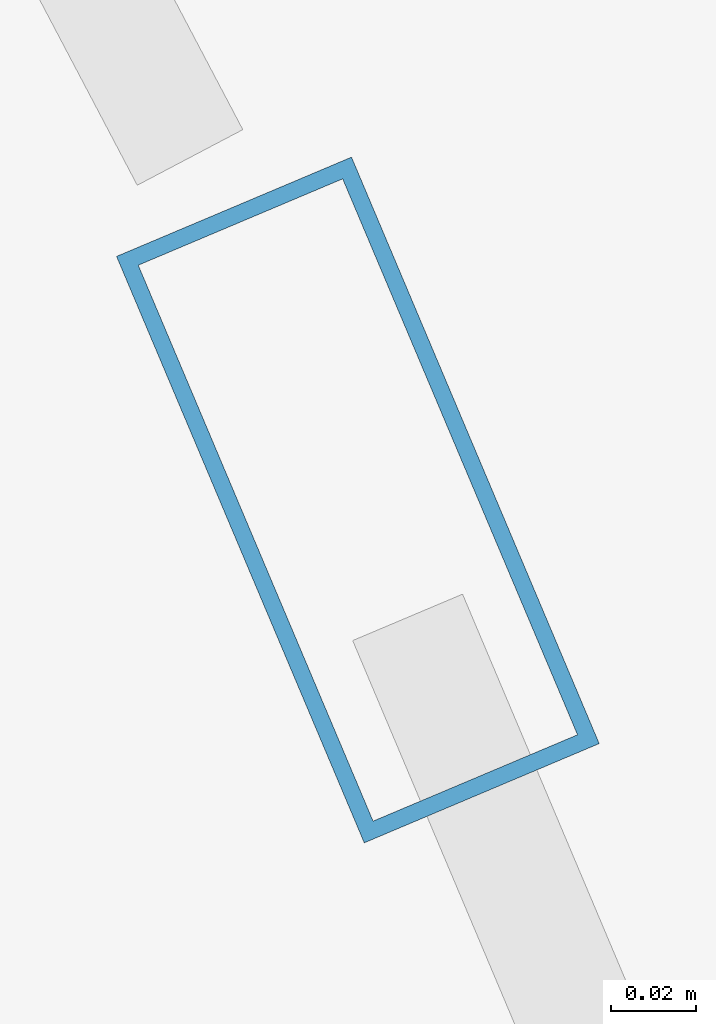
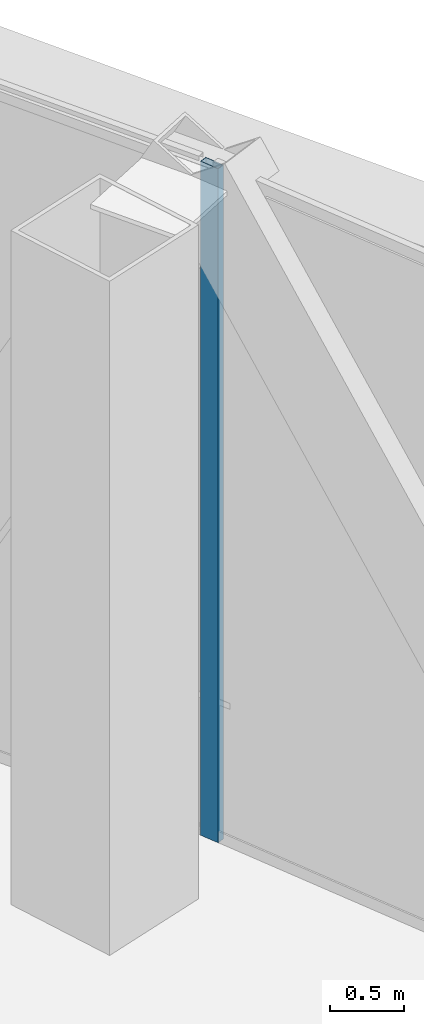
# One storey, part 25 of 38: 1 member, 1 element without a shape of its own.
"""IFC4 building model written with IfcOpenShell, lengths in metres."""

import ifcopenshell
import ifcopenshell.guid

model = None  # the IFC model being written
_history = None  # IfcOwnerHistory: only IFC2X3 demands one
_inside = {}  # id of a spatial element -> (the spatial element, [elements in it])
_under = {}  # id of a project, library or spatial element -> (it, [spatial elements below it])
_declared = {}  # id of a project -> (the project, [libraries it declares])
_typed = {}  # id of a type object -> (the type object, [elements of that type])
_made_of = {}  # id of a material, layer set ... -> (it, [elements and type objects made of it])


def new_model(schema):
    """Start an empty IFC model of exactly this schema.

    Asked for "IFC4X3", IfcOpenShell would pick the latest addendum, in which some entities
    have other attributes; the version numbers below select the first issue.
    IFC2X3 requires an IfcOwnerHistory on every rooted entity: one is made here for all.
    """
    global model, _history
    if schema == "IFC4X3":
        model = ifcopenshell.file(schema_version=(4, 3, 0, 0))
    else:
        model = ifcopenshell.file(schema=schema)
    _inside.clear()
    _under.clear()
    _declared.clear()
    _typed.clear()
    _made_of.clear()
    _history = None
    if model.schema == "IFC2X3":
        org = make("IfcOrganization", Name="unknown")
        user = make(
            "IfcPersonAndOrganization",
            ThePerson=make("IfcPerson", FamilyName="unknown"),
            TheOrganization=org,
        )
        app = make(
            "IfcApplication",
            ApplicationDeveloper=org,
            Version="unknown",
            ApplicationFullName="unknown",
            ApplicationIdentifier="unknown",
        )
        _history = make(
            "IfcOwnerHistory",
            OwningUser=user,
            OwningApplication=app,
            ChangeAction="ADDED",
            CreationDate=0,
        )
    return model


def make(cls, **values):
    """One entity of the class cls with the attributes given. An attribute that is None is left unset."""
    return model.create_entity(
        cls, **{name: value for name, value in values.items() if value is not None}
    )


def rooted(cls, **values):
    """An entity with a GlobalId (a new one), such as an element, a storey or a relation."""
    return make(cls, GlobalId=ifcopenshell.guid.new(), OwnerHistory=_history, **values)


def si_unit(unit_type, name, prefix=None):
    """IfcSIUnit, for example si_unit("LENGTHUNIT", "METRE", prefix="MILLI")."""
    return make("IfcSIUnit", UnitType=unit_type, Prefix=prefix, Name=name)


def assignment(units):
    """IfcUnitAssignment: the units of a project."""
    return None if units is None else make("IfcUnitAssignment", Units=units)


def point(xyz):
    """IfcCartesianPoint."""
    return None if xyz is None else make("IfcCartesianPoint", Coordinates=xyz)


def direction(xyz):
    """IfcDirection."""
    return None if xyz is None else make("IfcDirection", DirectionRatios=xyz)


def frame(location, z_axis=None, x_axis=None):
    """IfcAxis2Placement3D, a coordinate frame: its origin and axes. An axis left out is left unset."""
    return make(
        "IfcAxis2Placement3D",
        Location=point(location),
        Axis=direction(z_axis),
        RefDirection=direction(x_axis),
    )


def frame_2d(location, x_axis=None):
    """IfcAxis2Placement2D, a coordinate frame in the plane: its origin and x axis."""
    return make(
        "IfcAxis2Placement2D", Location=point(location), RefDirection=direction(x_axis)
    )


def origin():
    """The frame at (0, 0, 0) with its axes left unset."""
    return frame((0.0, 0.0, 0.0))


def origin_2d():
    """The frame at (0, 0) in the plane with its x axis left unset."""
    return frame_2d((0.0, 0.0))


def place(relative_to, where):
    """IfcLocalPlacement: puts the frame where relative to a parent placement (None: the world)."""
    return make(
        "IfcLocalPlacement", PlacementRelTo=relative_to, RelativePlacement=where
    )


def context(
    kind, dimensions, precision=None, world=None, true_north=None, identifier=None
):
    """IfcGeometricRepresentationContext, for example the 3D "Model" context."""
    return make(
        "IfcGeometricRepresentationContext",
        ContextIdentifier=identifier,
        ContextType=kind,
        CoordinateSpaceDimension=dimensions,
        Precision=precision,
        WorldCoordinateSystem=world,
        TrueNorth=true_north,
    )


def subcontext(parent, identifier, kind, view, scale=None):
    """IfcGeometricRepresentationSubContext, for example "Body" below "Model"."""
    return make(
        "IfcGeometricRepresentationSubContext",
        ContextIdentifier=identifier,
        ContextType=kind,
        ParentContext=parent,
        TargetScale=scale,
        TargetView=view,
    )


def project(units=None, contexts=None):
    """IfcProject with its units and contexts."""
    return rooted(
        "IfcProject",
        Name="project",
        RepresentationContexts=contexts,
        UnitsInContext=assignment(units),
    )


def spatial(cls, under=None, at=None, **own):
    """A site, building, storey or space (cls), placed at a placement, below another one or the project."""
    s = rooted(cls, ObjectPlacement=at, **own)
    if under is not None:
        _under.setdefault(under.id(), (under, []))[1].append(s)
    return s


def profile(cls, at=None, kind="AREA", **sizes):
    """A parametric profile (cls). Its sizes go by their IFC names, for example OverallWidth=200.0."""
    return make(cls, ProfileType=kind, Position=at, **sizes)


def hollow_rectangle(**sizes):
    """IfcRectangleHollowProfileDef."""
    return profile("IfcRectangleHollowProfileDef", **sizes)


def extrude(swept, where, along, depth):
    """IfcExtrudedAreaSolid: the profile swept, set in the frame where, extruded along a direction by depth."""
    return make(
        "IfcExtrudedAreaSolid",
        SweptArea=swept,
        Position=where,
        ExtrudedDirection=direction(along),
        Depth=depth,
    )


def shape(context_of_items, identifier, shape_type, items):
    """IfcShapeRepresentation: the items that make up one representation, for example the "Body"."""
    return make(
        "IfcShapeRepresentation",
        ContextOfItems=context_of_items,
        RepresentationIdentifier=identifier,
        RepresentationType=shape_type,
        Items=items,
    )


def source(mapping_origin, context_of_items, identifier, shape_type, items):
    """IfcRepresentationMap: a shape defined once, which mapped items show again and again."""
    return make(
        "IfcRepresentationMap",
        MappingOrigin=mapping_origin,
        MappedRepresentation=shape(context_of_items, identifier, shape_type, items),
    )


def transform(
    local_origin,
    x_axis=None,
    y_axis=None,
    z_axis=None,
    scale=None,
    scale2=None,
    scale3=None,
    uniform=True,
):
    """IfcCartesianTransformationOperator3D, or its non-uniform kind. x_axis, y_axis, z_axis: its Axis1, 2, 3."""
    if uniform:
        return make(
            "IfcCartesianTransformationOperator3D",
            Axis1=direction(x_axis),
            Axis2=direction(y_axis),
            LocalOrigin=point(local_origin),
            Scale=scale,
            Axis3=direction(z_axis),
        )
    return make(
        "IfcCartesianTransformationOperator3DnonUniform",
        Axis1=direction(x_axis),
        Axis2=direction(y_axis),
        LocalOrigin=point(local_origin),
        Scale=scale,
        Axis3=direction(z_axis),
        Scale2=scale2,
        Scale3=scale3,
    )


def mapped(mapping_source, mapping_target):
    """IfcMappedItem: shows the shape of a source again, moved by a transform."""
    return make(
        "IfcMappedItem", MappingSource=mapping_source, MappingTarget=mapping_target
    )


def material(Name=None, Category=None):
    """IfcMaterial."""
    return make("IfcMaterial", Name=Name, Category=Category)


def layer(
    of_material, thickness, ventilated=None, Name=None, Category=None, Priority=None
):
    """IfcMaterialLayer: one layer of a wall or slab, of a material (None: an air gap)."""
    return make(
        "IfcMaterialLayer",
        Material=of_material,
        LayerThickness=thickness,
        IsVentilated=ventilated,
        Name=Name,
        Category=Category,
        Priority=Priority,
    )


def layer_set(layers, Name=None):
    """IfcMaterialLayerSet."""
    return make("IfcMaterialLayerSet", MaterialLayers=layers, LayerSetName=Name)


def material_profile(
    of_material, cross_section, Name=None, Category=None, Priority=None
):
    """IfcMaterialProfile: a cross section and its material."""
    return make(
        "IfcMaterialProfile",
        Name=Name,
        Material=of_material,
        Profile=cross_section,
        Priority=Priority,
        Category=Category,
    )


def profile_set(profiles, Name=None, composite=None):
    """IfcMaterialProfileSet."""
    return make(
        "IfcMaterialProfileSet",
        Name=Name,
        MaterialProfiles=profiles,
        CompositeProfile=composite,
    )


def made_of(thing, what):
    """Note that an element or type object is made of a material, layer set ...; save() writes the relation."""
    if what is not None:
        _made_of.setdefault(what.id(), (what, []))[1].append(thing)
    return thing


def type_object(cls, material=None, **own):
    """A type object (cls), such as IfcWallType, which elements share."""
    return made_of(rooted(cls, **own), material)


def element(
    cls,
    number,
    at=None,
    inside=None,
    cuts=None,
    type_object=None,
    material=None,
    context=None,
    identifier="Body",
    shape_type=None,
    held_by="IfcProductDefinitionShape",
    body=None,
    shapes=None,
    **own,
):
    """One element of the class cls, such as IfcWall. Its Tag is "e" and its number.

    at: its placement. inside: the storey or other place that contains it. cuts: it is an
    opening in that element (IfcRelVoidsElement). A single representation is given by context,
    identifier, shape_type and body (its items); several are given by shapes. held_by: the class
    of the entity that holds the representations. save() writes the other relations.
    """
    e = rooted(cls, Tag="e%d" % number, ObjectPlacement=at, **own)
    if body is not None:
        shapes = [shape(context, identifier, shape_type, body)]
    if shapes is not None:
        e.Representation = make(held_by, Representations=shapes)
    if inside is not None:
        _inside.setdefault(inside.id(), (inside, []))[1].append(e)
    if cuts is not None:
        rooted(
            "IfcRelVoidsElement", RelatingBuildingElement=cuts, RelatedOpeningElement=e
        )
    if type_object is not None:
        _typed.setdefault(type_object.id(), (type_object, []))[1].append(e)
    return made_of(e, material)


def aggregate(whole, parts):
    """IfcRelAggregates: a whole, such as a stair, and the parts it consists of."""
    return rooted("IfcRelAggregates", RelatingObject=whole, RelatedObjects=parts)


def save(model, path):
    """Write the relations noted so far, then the file.

    IfcRelAggregates (storeys below a building ...), IfcRelContainedInSpatialStructure (elements
    in a storey), IfcRelDefinesByType, IfcRelAssociatesMaterial and IfcRelDeclares: one each for
    every whole, place, type object, material and project.
    """
    for whole, parts in _under.values():
        aggregate(whole, parts)
    for where, things in _inside.values():
        rooted(
            "IfcRelContainedInSpatialStructure",
            RelatedElements=things,
            RelatingStructure=where,
        )
    for kind, things in _typed.values():
        rooted("IfcRelDefinesByType", RelatedObjects=things, RelatingType=kind)
    for what, things in _made_of.values():
        rooted("IfcRelAssociatesMaterial", RelatedObjects=things, RelatingMaterial=what)
    for by, libraries in _declared.values():
        rooted("IfcRelDeclares", RelatingContext=by, RelatedDefinitions=libraries)
    model.write(path)


model = new_model("IFC4")

# Units and contexts
model_context = context("Model", 3, precision=1e-05, world=origin(), true_north=direction((0.0, 1.0)))
body_context = subcontext(model_context, "Body", "Model", "MODEL_VIEW")
ifc_project = project(units=[si_unit("LENGTHUNIT", "METRE"), si_unit("AREAUNIT", "SQUARE_METRE"), si_unit("VOLUMEUNIT", "CUBIC_METRE"), si_unit("PLANEANGLEUNIT", "RADIAN"), si_unit("MASSUNIT", "GRAM", prefix="KILO"), si_unit("THERMODYNAMICTEMPERATUREUNIT", "KELVIN"), si_unit("POWERUNIT", "WATT")], contexts=[model_context])

# Site, building, storey
site_placement = place(None, origin())
site = spatial("IfcSite", under=ifc_project, at=site_placement, CompositionType="ELEMENT")
building_placement = place(site_placement, origin())
building = spatial("IfcBuilding", under=site, at=building_placement, Name="Yunzhuo Pagoda Commons", CompositionType="ELEMENT")
storey_placement = place(building_placement, frame((0.0, 0.0, 218.9599609375)))
storey = spatial("IfcBuildingStorey", under=building, at=storey_placement, Name="L55", CompositionType="ELEMENT", Elevation=218.9599609375)

# Curtain wall, member
ifc_material = material(Name="Anodized aluminium 6063-T6", Category="aluminium")
ifc_layer = layer(ifc_material, 0.14990234375)
ifc_layer_set = layer_set([ifc_layer], Name="Anodized aluminium 6063-T6")
curtain_wall_type = type_object("IfcCurtainWallType", Name="CW-MID Mid-Zone Ribbon Curtain Wall", PredefinedType="NOTDEFINED", material=ifc_layer_set)
curtain_wall_placement = place(storey_placement, origin())
curtain_wall = element("IfcCurtainWall", 1, at=curtain_wall_placement, inside=storey, type_object=curtain_wall_type, Name="L55 curtain wall CW-L55-F2B2", PredefinedType="NOTDEFINED")
ifc_material_profile = material_profile(ifc_material, hollow_rectangle(XDim=0.06005859375, YDim=0.14990234375, WallThickness=0.00390625, at=origin_2d()), Name="Anodized aluminium 6063-T6")
ifc_profile_set = profile_set([ifc_material_profile], Name="Anodized aluminium 6063-T6")
member_type = type_object("IfcMemberType", Name="CW-MID-M Mullion RHS 150x60x4", PredefinedType="MULLION", material=ifc_profile_set)
shared_shape = source(origin(), body_context, "Body", "SweptSolid", [
    extrude(hollow_rectangle(XDim=0.06005859375, YDim=0.14990234375, WallThickness=0.00390625, at=origin_2d()), origin(), (0.0, 0.0, 1.0), 5.570068359375),
])
member_placement = place(storey_placement, frame((77.5048828125, 43.25537109375, 0.0), z_axis=(0.0, 0.0, 1.0), x_axis=(-0.921188379256, -0.389116910355, 0.0)))
member = element("IfcMember", 2, at=member_placement, type_object=member_type, Name="CW mullion 2", PredefinedType="MULLION", context=body_context, shape_type="MappedRepresentation", body=[
    mapped(shared_shape, transform((0.0, 0.0, 0.0), scale=1.0)),
])
aggregate(curtain_wall, [member])

save(model, "model.ifc")
